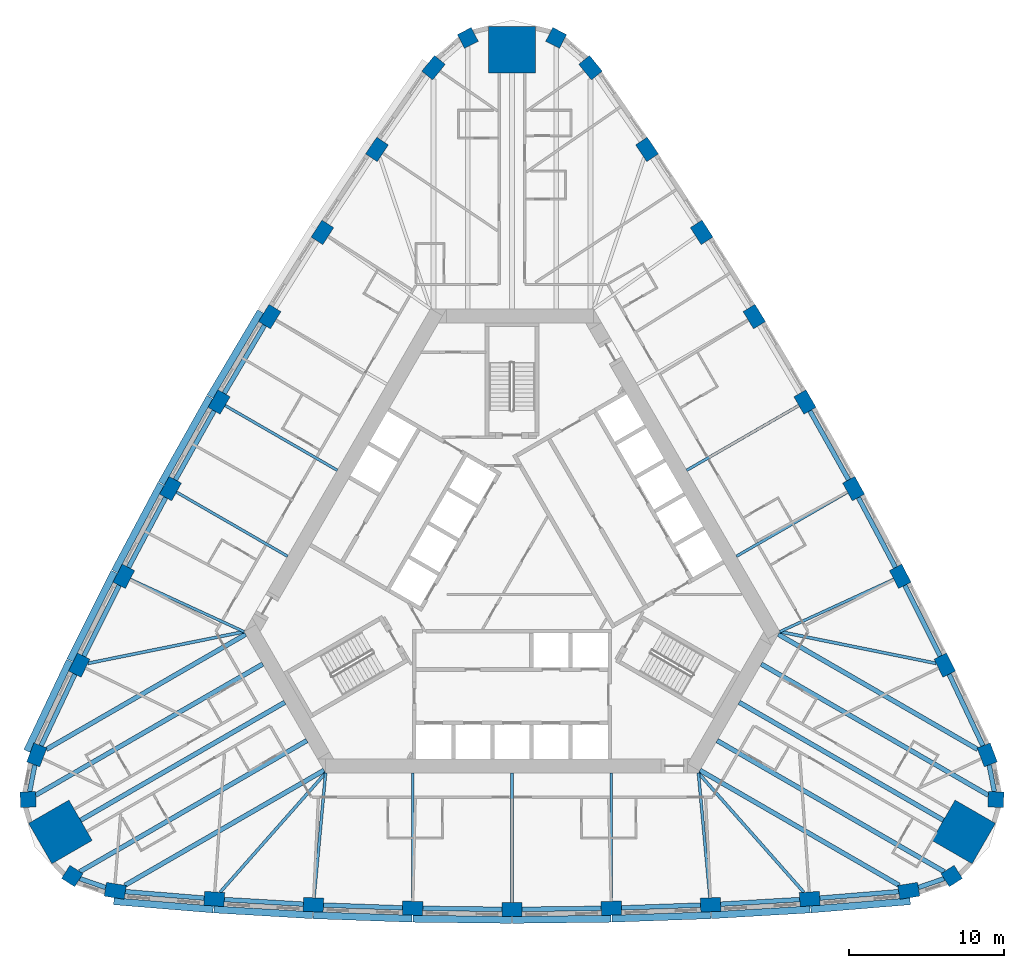
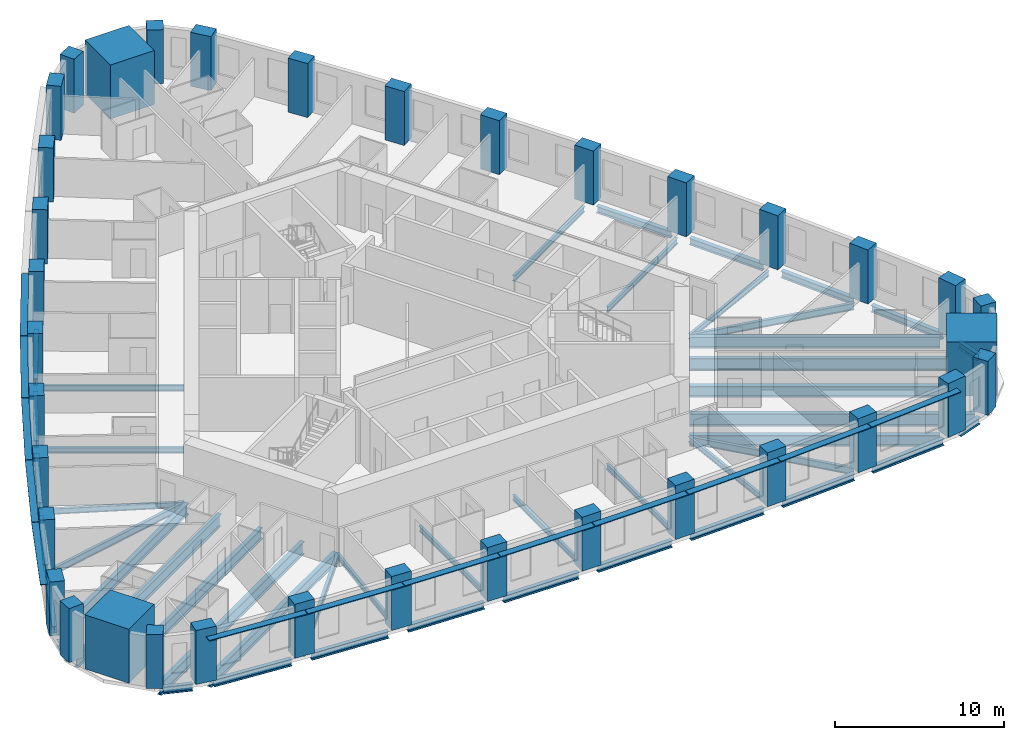
# One storey, part 1 of 13: 46 beams, 36 columns, 13 members.
"""IFC4 building model written with IfcOpenShell, lengths in metres."""

from ifc_helpers import new_model, si_unit, direction, frame, origin, origin_2d, place, context, subcontext, project, spatial, rectangle, i_section, extrude, material, material_profile, profile_set, type_object, element, save


model = new_model("IFC4")

# Units and contexts
model_context = context("Model", 3, precision=1e-05, world=origin(), true_north=direction((0.0, 1.0)))
body_context = subcontext(model_context, "Body", "Model", "MODEL_VIEW")
ifc_project = project(units=[si_unit("LENGTHUNIT", "METRE"), si_unit("AREAUNIT", "SQUARE_METRE"), si_unit("VOLUMEUNIT", "CUBIC_METRE"), si_unit("PLANEANGLEUNIT", "RADIAN"), si_unit("MASSUNIT", "GRAM", prefix="KILO")], contexts=[model_context])

# Site, building, storey
site_placement = place(None, origin())
site = spatial("IfcSite", under=ifc_project, at=site_placement, CompositionType="ELEMENT")
building_placement = place(site_placement, origin())
building = spatial("IfcBuilding", under=site, at=building_placement, Name="Mestral Congress Tower", CompositionType="ELEMENT")
storey_placement = place(building_placement, frame((0.0, 0.0, 99.300048828125)))
storey = spatial("IfcBuildingStorey", under=building, at=storey_placement, Name="L23", CompositionType="ELEMENT", Elevation=99.300048828125)

# Columns
ifc_material_1 = material(Name="Concrete C70/85", Category="concrete")
ifc_material_profile_1 = material_profile(ifc_material_1, rectangle(XDim=1.0, YDim=1.0, at=origin_2d()), Name="RC 1000x1000")
ifc_profile_set_1 = profile_set([ifc_material_profile_1], Name="Concrete C70/85")
column_type_1 = type_object("IfcColumnType", Name="Column RC 1000x1000 C70/85", PredefinedType="COLUMN", material=ifc_profile_set_1)
for number, where, z_axis, x_axis, name in (
    (1, (28.331298828125, -19.642822265625, 0.0), (0.0, 0.0, 1.0), (0.841700252504, 0.53994507585, 0.0), "COL-L23-C2-SE1"),
    (2, (31.1767578125, -14.714111328125, 0.0), (0.0, 0.0, 1.0), (0.046756026083, 0.998906338965, 0.0), "COL-L23-C2-SE3"),
    (3, (2.845703125, 34.35693359375, 0.0), (0.0, 0.0, 1.0), (-0.888456278587, 0.458961263115, 0.0), "COL-L23-C2-N1"),
    (4, (-2.845703125, 34.35693359375, 0.0), (0.0, 0.0, 1.0), (-0.888456278587, -0.458961263115, 0.0), "COL-L23-C2-N3"),
    (5, (-31.1767578125, -14.714111328125, 0.0), (0.0, 0.0, 1.0), (0.046756026083, -0.998906338965, 0.0), "COL-L23-C2-SW1"),
    (6, (-28.331298828125, -19.642822265625, 0.0), (0.0, 0.0, 1.0), (0.841700252504, -0.53994507585, 0.0), "COL-L23-C2-SW3"),
):
    element("IfcColumn", number, at=place(storey_placement, frame(where, z_axis=z_axis, x_axis=x_axis)), inside=storey, type_object=column_type_1, Name=name, PredefinedType="COLUMN", context=body_context, shape_type="SweptSolid", body=[
        extrude(rectangle(XDim=1.0, YDim=1.0, at=origin_2d()), origin(), (0.0, 0.0, 1.0), 3.89990234375),
    ])
ifc_material_profile_2 = material_profile(ifc_material_1, rectangle(XDim=1.300048828125, YDim=0.89990234375, at=origin_2d()), Name="RC 1300x900")
ifc_profile_set_2 = profile_set([ifc_material_profile_2], Name="Concrete C70/85")
column_type_2 = type_object("IfcColumnType", Name="Column RC 1300x900 C70/85", PredefinedType="COLUMN", material=ifc_profile_set_2)
for number, where, z_axis, x_axis, name in (
    (7, (-25.562744140625, -20.59716796875, 0.0), (0.0, 0.0, 1.0), (0.987202314361, -0.159472851987, 0.0), "COL-L23-C2-S00"),
    (8, (-19.184326171875, -21.120361328125, 0.0), (0.0, 0.0, 1.0), (0.997539884588, -0.07010120296, 0.0), "COL-L23-C2-S01"),
    (9, (-12.79541015625, -21.494384765625, 0.0), (0.0, 0.0, 1.0), (0.998906338965, -0.046756026083, 0.0), "COL-L23-C2-S02"),
    (10, (-6.3994140625, -21.71875, 0.0), (0.0, 0.0, 1.0), (0.99972656776, -0.023383535144, 0.0), "COL-L23-C2-S03"),
    (11, (0.0, -21.793701171875, 0.0), (0.0, 0.0, 1.0), (1.0, 0.0, 0.0), "COL-L23-C2-S04"),
    (12, (6.3994140625, -21.71875, 0.0), (0.0, 0.0, 1.0), (0.99972656776, 0.023383535144, 0.0), "COL-L23-C2-S05"),
    (13, (12.79541015625, -21.494384765625, 0.0), (0.0, 0.0, 1.0), (0.998906338965, 0.046756026083, 0.0), "COL-L23-C2-S06"),
    (14, (19.184326171875, -21.120361328125, 0.0), (0.0, 0.0, 1.0), (0.997539884588, 0.07010120296, 0.0), "COL-L23-C2-S07"),
    (15, (25.562744140625, -20.59716796875, 0.0), (0.0, 0.0, 1.0), (0.987202314361, 0.159472851987, 0.0), "COL-L23-C2-S08"),
    (16, (30.618896484375, -11.83935546875, 0.0), (0.0, 0.0, 1.0), (-0.355493616145, 0.934678708905, 0.0), "COL-L23-C2-E00"),
    (17, (27.8828125, -6.0537109375, 0.0), (0.0, 0.0, 1.0), (-0.438060519695, 0.898945482821, 0.0), "COL-L23-C2-E01"),
    (18, (25.01220703125, -0.333984375, 0.0), (0.0, 0.0, 1.0), (-0.458961263115, 0.888456278587, 0.0), "COL-L23-C2-E02"),
    (19, (22.0087890625, 5.3173828125, 0.0), (0.0, 0.0, 1.0), (-0.479612548415, 0.87748037209, 0.0), "COL-L23-C2-E03"),
    (20, (18.873779296875, 10.896728515625, 0.0), (0.0, 0.0, 1.0), (-0.5, 0.866025403784, 0.0), "COL-L23-C2-E04"),
    (21, (15.609375, 16.401611328125, 0.0), (0.0, 0.0, 1.0), (-0.520114019344, 0.854096836946, 0.0), "COL-L23-C2-E05"),
    (22, (12.217041015625, 21.828369140625, 0.0), (0.0, 0.0, 1.0), (-0.53994507585, 0.841700252504, 0.0), "COL-L23-C2-E06"),
    (23, (8.69873046875, 27.17431640625, 0.0), (0.0, 0.0, 1.0), (-0.559479364893, 0.828844279861, 0.0), "COL-L23-C2-E07"),
    (24, (5.056396484375, 32.4365234375, 0.0), (0.0, 0.0, 1.0), (-0.631708698215, 0.775205856918, 0.0), "COL-L23-C2-E08"),
    (25, (-5.056396484375, 32.4365234375, 0.0), (0.0, 0.0, 1.0), (-0.631708698215, -0.775205856918, 0.0), "COL-L23-C2-W00"),
    (26, (-8.69873046875, 27.17431640625, 0.0), (0.0, 0.0, 1.0), (-0.559479364893, -0.828844279861, 0.0), "COL-L23-C2-W01"),
    (27, (-12.217041015625, 21.828369140625, 0.0), (0.0, 0.0, 1.0), (-0.53994507585, -0.841700252504, 0.0), "COL-L23-C2-W02"),
    (28, (-15.609375, 16.401611328125, 0.0), (0.0, 0.0, 1.0), (-0.520114019344, -0.854096836946, 0.0), "COL-L23-C2-W03"),
    (29, (-18.873779296875, 10.896728515625, 0.0), (0.0, 0.0, 1.0), (-0.5, -0.866025403784, 0.0), "COL-L23-C2-W04"),
    (30, (-22.0087890625, 5.3173828125, 0.0), (0.0, 0.0, 1.0), (-0.479612548415, -0.87748037209, 0.0), "COL-L23-C2-W05"),
    (31, (-25.01220703125, -0.333984375, 0.0), (0.0, 0.0, 1.0), (-0.458961263115, -0.888456278587, 0.0), "COL-L23-C2-W06"),
    (32, (-27.8828125, -6.0537109375, 0.0), (0.0, 0.0, 1.0), (-0.438060519695, -0.898945482821, 0.0), "COL-L23-C2-W07"),
    (33, (-30.618896484375, -11.83935546875, 0.0), (0.0, 0.0, 1.0), (-0.355493616145, -0.934678708905, 0.0), "COL-L23-C2-W08"),
):
    element("IfcColumn", number, at=place(storey_placement, frame(where, z_axis=z_axis, x_axis=x_axis)), inside=storey, type_object=column_type_2, Name=name, PredefinedType="COLUMN", context=body_context, shape_type="SweptSolid", body=[
        extrude(rectangle(XDim=1.300048828125, YDim=0.89990234375, at=origin_2d()), origin(), (0.0, 0.0, 1.0), 3.89990234375),
    ])
ifc_material_2 = material(Name="Concrete C80/95", Category="concrete")
ifc_material_profile_3 = material_profile(ifc_material_2, rectangle(XDim=3.0, YDim=3.0, at=origin_2d()), Name="RC 3000x3000")
ifc_profile_set_3 = profile_set([ifc_material_profile_3], Name="Concrete C80/95")
column_type_3 = type_object("IfcColumnType", Name="Mega column RC 3000x3000 C80/95", PredefinedType="COLUMN", material=ifc_profile_set_3)
for number, where, z_axis, x_axis, name in (
    (34, (29.09716796875, -16.79931640625, 0.0), (0.0, 0.0, 1.0), (0.866025403784, -0.5, 0.0), "COL-L23-PY2-SE"),
    (35, (0.0, 33.598388671875, 0.0), (0.0, 0.0, 1.0), (0.0, 1.0, 0.0), "COL-L23-PY2-N"),
    (36, (-29.09716796875, -16.79931640625, 0.0), (0.0, 0.0, 1.0), (-0.866025403784, -0.5, 0.0), "COL-L23-PY2-SW"),
):
    element("IfcColumn", number, at=place(storey_placement, frame(where, z_axis=z_axis, x_axis=x_axis)), inside=storey, type_object=column_type_3, Name=name, PredefinedType="COLUMN", context=body_context, shape_type="SweptSolid", body=[
        extrude(rectangle(XDim=3.0, YDim=3.0, at=origin_2d()), origin(), (0.0, 0.0, 1.0), 3.89990234375),
    ])

# Members
ifc_material_3 = material(Name="Glazed ceramic", Category="masonry")
ifc_material_profile_4 = material_profile(ifc_material_3, rectangle(XDim=0.449951171875, YDim=0.06005859375, at=origin_2d()), Name="Ceramic blade 450 x 60")
ifc_profile_set_4 = profile_set([ifc_material_profile_4], Name="Glazed ceramic")
member_type = type_object("IfcMemberType", Name="Facade sunshade blade 450 x 60", PredefinedType="USERDEFINED", material=ifc_profile_set_4)
member_1_placement = place(storey_placement, frame((-25.654296875, -21.266845703125, 3.280029296875), z_axis=(0.996650616323, -0.081777435656, 0.0), x_axis=(0.081777435656, 0.996650616323, 0.0)))
element("IfcMember", 37, at=member_1_placement, inside=storey, type_object=member_type, Name="Sunshade F0-00", ObjectType="SUNSHADE", PredefinedType="USERDEFINED", context=body_context, shape_type="SweptSolid", body=[
    extrude(rectangle(XDim=0.449951171875, YDim=0.06005859375, at=origin_2d()), origin(), (0.0, 0.0, 1.0), 6.421630859375),
])
for number, where, z_axis, x_axis, name in (
    (38, (-19.208984375, -21.795166015625, 3.280029296875), (0.998292825409, -0.05840748871, 0.0), (0.05840748871, 0.998292825409, 0.0), "Sunshade F0-01"),
    (39, (-12.80419921875, -22.16943359375, 3.280029296875), (0.999384970229, -0.035066811664, 0.0), (0.035066811664, 0.999384970229, 0.0), "Sunshade F0-02"),
    (40, (-6.392578125, -22.393798828125, 3.280029296875), (0.999931231966, -0.011727375608, 0.0), (0.011727375608, 0.999931231966, 0.0), "Sunshade F0-03"),
    (41, (0.022705078125, -22.468505859375, 3.280029296875), (0.999931231966, 0.011727375608, 0.0), (-0.011727375608, 0.999931231966, 0.0), "Sunshade F0-04"),
    (42, (6.437744140625, -22.392822265625, 3.280029296875), (0.999384970229, 0.035066811664, 0.0), (-0.035066811664, 0.999384970229, 0.0), "Sunshade F0-05"),
    (43, (12.849609375, -22.167236328125, 3.280029296875), (0.998292825409, 0.05840748871, 0.0), (-0.05840748871, 0.998292825409, 0.0), "Sunshade F0-06"),
):
    element("IfcMember", number, at=place(storey_placement, frame(where, z_axis=z_axis, x_axis=x_axis)), inside=storey, type_object=member_type, Name=name, ObjectType="SUNSHADE", PredefinedType="USERDEFINED", context=body_context, shape_type="SweptSolid", body=[
        extrude(rectangle(XDim=0.449951171875, YDim=0.06005859375, at=origin_2d()), origin(), (0.0, 0.0, 1.0), 6.370361328125),
    ])
member_2_placement = place(storey_placement, frame((19.254150390625, -21.7919921875, 3.280029296875), z_axis=(0.996650616323, 0.081777435656, 0.0), x_axis=(-0.081777435656, 0.996650616323, 0.0)))
element("IfcMember", 44, at=member_2_placement, inside=storey, type_object=member_type, Name="Sunshade F0-07", ObjectType="SUNSHADE", PredefinedType="USERDEFINED", context=body_context, shape_type="SweptSolid", body=[
    extrude(rectangle(XDim=0.449951171875, YDim=0.06005859375, at=origin_2d()), origin(), (0.0, 0.0, 1.0), 6.421630859375),
])
for number, where, z_axis, x_axis, name in (
    (45, (-16.197509765625, 16.733154296875, 3.280029296875), (-0.510098606231, -0.86011592935, 0.0), (0.86011592935, -0.510098606231, 0.0), "Sunshade F2-03"),
    (46, (-19.469482421875, 11.214599609375, 3.280029296875), (-0.489860886888, -0.871800614531, 0.0), (0.871800614531, -0.489860886888, 0.0), "Sunshade F2-04"),
    (47, (-22.61181640625, 5.62109375, 3.280029296875), (-0.469318672425, -0.883028869128, 0.0), (0.883028869128, -0.469318672425, 0.0), "Sunshade F2-05"),
):
    element("IfcMember", number, at=place(storey_placement, frame(where, z_axis=z_axis, x_axis=x_axis)), inside=storey, type_object=member_type, Name=name, ObjectType="SUNSHADE", PredefinedType="USERDEFINED", context=body_context, shape_type="SweptSolid", body=[
        extrude(rectangle(XDim=0.449951171875, YDim=0.06005859375, at=origin_2d()), origin(), (0.0, 0.0, 1.0), 6.370361328125),
    ])
member_3_placement = place(storey_placement, frame((-25.622314453125, -0.04443359375, 3.280029296875), z_axis=(-0.448531530965, -0.893767008638, 0.0), x_axis=(0.893767008638, -0.448531530965, 0.0)))
element("IfcMember", 48, at=member_3_placement, inside=storey, type_object=member_type, Name="Sunshade F2-06", ObjectType="SUNSHADE", PredefinedType="USERDEFINED", context=body_context, shape_type="SweptSolid", body=[
    extrude(rectangle(XDim=0.449951171875, YDim=0.06005859375, at=origin_2d()), origin(), (0.0, 0.0, 1.0), 6.3701171875),
])
member_4_placement = place(storey_placement, frame((-28.49951171875, -5.778564453125, 3.280029296875), z_axis=(-0.427519164001, -0.904006285604, 0.0), x_axis=(0.904006285604, -0.427519164001, 0.0)))
element("IfcMember", 49, at=member_4_placement, inside=storey, type_object=member_type, Name="Sunshade F2-07", ObjectType="SUNSHADE", PredefinedType="USERDEFINED", context=body_context, shape_type="SweptSolid", body=[
    extrude(rectangle(XDim=0.449951171875, YDim=0.06005859375, at=origin_2d()), origin(), (0.0, 0.0, 1.0), 6.421630859375),
])

# Beams
ifc_material_4 = material(Name="Steel S355", Category="steel")
ifc_material_profile_5 = material_profile(ifc_material_4, i_section(OverallWidth=0.300048828125, OverallDepth=0.800048828125, WebThickness=0.017578125, FlangeThickness=0.032958984375, FilletRadius=0.030029296875, at=origin_2d()), Name="HEB 800")
ifc_profile_set_5 = profile_set([ifc_material_profile_5], Name="Steel S355")
beam_type_1 = type_object("IfcBeamType", Name="Floor beam HEB 800 S355", PredefinedType="BEAM", material=ifc_profile_set_5)
for number, where, z_axis, x_axis, name in (
    (50, (-24.94580078125, -20.240966796875, -0.650146484375), (0.866025146382, 0.500000445834, 0.0), (-0.500000445834, 0.866025146382, 0.0), "BM-L23-RB2-S00"),
    (51, (24.94580078125, -20.240966796875, -0.650146484375), (-0.866025146382, 0.500000445834, 0.0), (-0.500000445834, -0.866025146382, 0.0), "BM-L23-RB2-S08"),
):
    element("IfcBeam", number, at=place(storey_placement, frame(where, z_axis=z_axis, x_axis=x_axis)), inside=storey, type_object=beam_type_1, Name=name, PredefinedType="BEAM", context=body_context, shape_type="SweptSolid", body=[
        extrude(i_section(OverallWidth=0.300048828125, OverallDepth=0.800048828125, WebThickness=0.017578125, FlangeThickness=0.032958984375, FilletRadius=0.030029296875, at=origin_2d()), origin(), (0.0, 0.0, 1.0), 14.82421875),
    ])
beam_1_placement = place(storey_placement, frame((27.798095703125, -16.04931640625, -0.650146484375), z_axis=(-0.866023213189, 0.500003794204, 0.0), x_axis=(-0.500003794204, -0.866023213189, 0.0)))
element("IfcBeam", 52, at=beam_1_placement, inside=storey, type_object=beam_type_1, Name="BM-L23-RB2-SE", PredefinedType="BEAM", context=body_context, shape_type="SweptSolid", body=[
    extrude(i_section(OverallWidth=0.300048828125, OverallDepth=0.800048828125, WebThickness=0.017578125, FlangeThickness=0.032958984375, FilletRadius=0.030029296875, at=origin_2d()), origin(), (0.0, 0.0, 1.0), 15.19873046875),
])
for number, where, z_axis, x_axis, name in (
    (53, (30.002197265625, -11.483154296875, -0.650146484375), (-0.866025146382, 0.500000445834, 0.0), (-0.500000445834, -0.866025146382, 0.0), "BM-L23-RB2-E00"),
    (54, (-30.002197265625, -11.483154296875, -0.650146484375), (0.866025146382, 0.500000445834, 0.0), (-0.500000445834, 0.866025146382, 0.0), "BM-L23-RB2-W08"),
):
    element("IfcBeam", number, at=place(storey_placement, frame(where, z_axis=z_axis, x_axis=x_axis)), inside=storey, type_object=beam_type_1, Name=name, PredefinedType="BEAM", context=body_context, shape_type="SweptSolid", body=[
        extrude(i_section(OverallWidth=0.300048828125, OverallDepth=0.800048828125, WebThickness=0.017578125, FlangeThickness=0.032958984375, FilletRadius=0.030029296875, at=origin_2d()), origin(), (0.0, 0.0, 1.0), 14.82421875),
    ])
beam_2_placement = place(storey_placement, frame((-27.798095703125, -16.04931640625, -0.650146484375), z_axis=(0.866023213189, 0.500003794204, 0.0), x_axis=(-0.500003794204, 0.866023213189, 0.0)))
element("IfcBeam", 55, at=beam_2_placement, inside=storey, type_object=beam_type_1, Name="BM-L23-RB2-SW", PredefinedType="BEAM", context=body_context, shape_type="SweptSolid", body=[
    extrude(i_section(OverallWidth=0.300048828125, OverallDepth=0.800048828125, WebThickness=0.017578125, FlangeThickness=0.032958984375, FilletRadius=0.030029296875, at=origin_2d()), origin(), (0.0, 0.0, 1.0), 15.19873046875),
])
ifc_material_profile_6 = material_profile(ifc_material_4, i_section(OverallWidth=0.300048828125, OverallDepth=0.89990234375, WebThickness=0.0185546875, FlangeThickness=0.034912109375, FilletRadius=0.030029296875, at=origin_2d()), Name="HEB 900")
ifc_profile_set_6 = profile_set([ifc_material_profile_6], Name="Steel S355")
beam_type_2 = type_object("IfcBeamType", Name="Floor beam HEB 900 S355", PredefinedType="BEAM", material=ifc_profile_set_6)
beam_3_placement = place(storey_placement, frame((27.84375, -19.361328125, -0.699951171875), z_axis=(-0.866024587677, 0.500001413537, 0.0), x_axis=(-0.500001413537, -0.866024587677, 0.0)))
element("IfcBeam", 56, at=beam_3_placement, inside=storey, type_object=beam_type_2, Name="BM-L23-RB2-SE1", PredefinedType="BEAM", context=body_context, shape_type="SweptSolid", body=[
    extrude(i_section(OverallWidth=0.300048828125, OverallDepth=0.89990234375, WebThickness=0.0185546875, FlangeThickness=0.034912109375, FilletRadius=0.030029296875, at=origin_2d()), origin(), (0.0, 0.0, 1.0), 16.89404296875),
])
for number, where, z_axis, x_axis, name in (
    (57, (30.689453125, -14.4326171875, -0.699951171875), (-0.866028200461, 0.499995155983, 0.0), (-0.499995155983, -0.866028200461, 0.0), "BM-L23-RB2-SE3"),
    (58, (-30.689453125, -14.4326171875, -0.699951171875), (0.866028200461, 0.499995155983, 0.0), (-0.499995155983, 0.866028200461, 0.0), "BM-L23-RB2-SW1"),
):
    element("IfcBeam", number, at=place(storey_placement, frame(where, z_axis=z_axis, x_axis=x_axis)), inside=storey, type_object=beam_type_2, Name=name, PredefinedType="BEAM", context=body_context, shape_type="SweptSolid", body=[
        extrude(i_section(OverallWidth=0.300048828125, OverallDepth=0.89990234375, WebThickness=0.0185546875, FlangeThickness=0.034912109375, FilletRadius=0.030029296875, at=origin_2d()), origin(), (0.0, 0.0, 1.0), 16.894287109375),
    ])
beam_4_placement = place(storey_placement, frame((-27.84375, -19.361328125, -0.699951171875), z_axis=(0.866024587677, 0.500001413537, 0.0), x_axis=(-0.500001413537, 0.866024587677, 0.0)))
element("IfcBeam", 59, at=beam_4_placement, inside=storey, type_object=beam_type_2, Name="BM-L23-RB2-SW3", PredefinedType="BEAM", context=body_context, shape_type="SweptSolid", body=[
    extrude(i_section(OverallWidth=0.300048828125, OverallDepth=0.89990234375, WebThickness=0.0185546875, FlangeThickness=0.034912109375, FilletRadius=0.030029296875, at=origin_2d()), origin(), (0.0, 0.0, 1.0), 16.89404296875),
])
ifc_material_profile_7 = material_profile(ifc_material_4, i_section(OverallWidth=0.179931640625, OverallDepth=0.39990234375, WebThickness=0.008544921875, FlangeThickness=0.013427734375, FilletRadius=0.02099609375, at=origin_2d()), Name="IPE 400")
ifc_profile_set_7 = profile_set([ifc_material_profile_7], Name="Steel S355")
beam_type_3 = type_object("IfcBeamType", Name="Floor beam IPE 400 S355", PredefinedType="BEAM", material=ifc_profile_set_7)
beam_5_placement = place(storey_placement, frame((-12.753662109375, -21.0458984375, -0.449951171875), z_axis=(0.092183786594, 0.995742009503, 0.0), x_axis=(-0.995742009503, 0.092183786594, 0.0)))
element("IfcBeam", 60, at=beam_5_placement, inside=storey, type_object=beam_type_3, Name="BM-L23-RB2-S02", PredefinedType="BEAM", context=body_context, shape_type="SweptSolid", body=[
    extrude(i_section(OverallWidth=0.179931640625, OverallDepth=0.39990234375, WebThickness=0.008544921875, FlangeThickness=0.013427734375, FilletRadius=0.02099609375, at=origin_2d()), origin(), (0.0, 0.0, 1.0), 8.080322265625),
])
beam_6_placement = place(storey_placement, frame((-6.3994140625, -21.268798828125, -0.449951171875), z_axis=(0.0, 1.0, 0.0), x_axis=(-1.0, 0.0, 0.0)))
element("IfcBeam", 61, at=beam_6_placement, inside=storey, type_object=beam_type_3, Name="BM-L23-RB2-S03", PredefinedType="BEAM", context=body_context, shape_type="SweptSolid", body=[
    extrude(i_section(OverallWidth=0.179931640625, OverallDepth=0.39990234375, WebThickness=0.008544921875, FlangeThickness=0.013427734375, FilletRadius=0.02099609375, at=origin_2d()), origin(), (0.0, 0.0, 1.0), 8.268798828125),
])
beam_7_placement = place(storey_placement, frame((0.0, -21.343505859375, -0.449951171875), z_axis=(0.0, 1.0, 0.0), x_axis=(-1.0, 0.0, 0.0)))
element("IfcBeam", 62, at=beam_7_placement, inside=storey, type_object=beam_type_3, Name="BM-L23-RB2-S04", PredefinedType="BEAM", context=body_context, shape_type="SweptSolid", body=[
    extrude(i_section(OverallWidth=0.179931640625, OverallDepth=0.39990234375, WebThickness=0.008544921875, FlangeThickness=0.013427734375, FilletRadius=0.02099609375, at=origin_2d()), origin(), (0.0, 0.0, 1.0), 8.343505859375),
])
beam_8_placement = place(storey_placement, frame((6.3994140625, -21.268798828125, -0.449951171875), z_axis=(0.0, 1.0, 0.0), x_axis=(-1.0, 0.0, 0.0)))
element("IfcBeam", 63, at=beam_8_placement, inside=storey, type_object=beam_type_3, Name="BM-L23-RB2-S05", PredefinedType="BEAM", context=body_context, shape_type="SweptSolid", body=[
    extrude(i_section(OverallWidth=0.179931640625, OverallDepth=0.39990234375, WebThickness=0.008544921875, FlangeThickness=0.013427734375, FilletRadius=0.02099609375, at=origin_2d()), origin(), (0.0, 0.0, 1.0), 8.268798828125),
])
beam_9_placement = place(storey_placement, frame((12.753662109375, -21.0458984375, -0.449951171875), z_axis=(-0.092183786594, 0.995742009503, 0.0), x_axis=(-0.995742009503, -0.092183786594, 0.0)))
element("IfcBeam", 64, at=beam_9_placement, inside=storey, type_object=beam_type_3, Name="BM-L23-RB2-S06", PredefinedType="BEAM", context=body_context, shape_type="SweptSolid", body=[
    extrude(i_section(OverallWidth=0.179931640625, OverallDepth=0.39990234375, WebThickness=0.008544921875, FlangeThickness=0.013427734375, FilletRadius=0.02099609375, at=origin_2d()), origin(), (0.0, 0.0, 1.0), 8.080322265625),
])
beam_10_placement = place(storey_placement, frame((24.60302734375, -0.522216796875, -0.449951171875), z_axis=(-0.908437217841, -0.418021316731, 0.0), x_axis=(0.418021316731, -0.908437217841, 0.0)))
element("IfcBeam", 65, at=beam_10_placement, inside=storey, type_object=beam_type_3, Name="BM-L23-RB2-E02", PredefinedType="BEAM", context=body_context, shape_type="SweptSolid", body=[
    extrude(i_section(OverallWidth=0.179931640625, OverallDepth=0.39990234375, WebThickness=0.008544921875, FlangeThickness=0.013427734375, FilletRadius=0.02099609375, at=origin_2d()), origin(), (0.0, 0.0, 1.0), 8.080078125),
])
beam_11_placement = place(storey_placement, frame((21.618896484375, 5.09228515625, -0.449951171875), z_axis=(-0.866028737439, -0.499994225897, 0.0), x_axis=(0.499994225897, -0.866028737439, 0.0)))
element("IfcBeam", 66, at=beam_11_placement, inside=storey, type_object=beam_type_3, Name="BM-L23-RB2-E03", PredefinedType="BEAM", context=body_context, shape_type="SweptSolid", body=[
    extrude(i_section(OverallWidth=0.179931640625, OverallDepth=0.39990234375, WebThickness=0.008544921875, FlangeThickness=0.013427734375, FilletRadius=0.02099609375, at=origin_2d()), origin(), (0.0, 0.0, 1.0), 8.2685546875),
])
for number, where, z_axis, x_axis, name in (
    (67, (18.484130859375, 10.671875, -0.449951171875), (-0.86602332482, -0.500003600855, 0.0), (0.500003600855, -0.86602332482, 0.0), "BM-L23-RB2-E04"),
    (68, (-18.484130859375, 10.671875, -0.449951171875), (0.86602332482, -0.500003600855, 0.0), (0.500003600855, 0.86602332482, 0.0), "BM-L23-RB2-W04"),
):
    element("IfcBeam", number, at=place(storey_placement, frame(where, z_axis=z_axis, x_axis=x_axis)), inside=storey, type_object=beam_type_3, Name=name, PredefinedType="BEAM", context=body_context, shape_type="SweptSolid", body=[
        extrude(i_section(OverallWidth=0.179931640625, OverallDepth=0.39990234375, WebThickness=0.008544921875, FlangeThickness=0.013427734375, FilletRadius=0.02099609375, at=origin_2d()), origin(), (0.0, 0.0, 1.0), 8.34375),
    ])
beam_12_placement = place(storey_placement, frame((-21.618896484375, 5.09228515625, -0.449951171875), z_axis=(0.866028737439, -0.499994225897, 0.0), x_axis=(0.499994225897, 0.866028737439, 0.0)))
element("IfcBeam", 69, at=beam_12_placement, inside=storey, type_object=beam_type_3, Name="BM-L23-RB2-W05", PredefinedType="BEAM", context=body_context, shape_type="SweptSolid", body=[
    extrude(i_section(OverallWidth=0.179931640625, OverallDepth=0.39990234375, WebThickness=0.008544921875, FlangeThickness=0.013427734375, FilletRadius=0.02099609375, at=origin_2d()), origin(), (0.0, 0.0, 1.0), 8.2685546875),
])
beam_13_placement = place(storey_placement, frame((-24.60302734375, -0.522216796875, -0.449951171875), z_axis=(0.908437217841, -0.418021316731, 0.0), x_axis=(0.418021316731, 0.908437217841, 0.0)))
element("IfcBeam", 70, at=beam_13_placement, inside=storey, type_object=beam_type_3, Name="BM-L23-RB2-W06", PredefinedType="BEAM", context=body_context, shape_type="SweptSolid", body=[
    extrude(i_section(OverallWidth=0.179931640625, OverallDepth=0.39990234375, WebThickness=0.008544921875, FlangeThickness=0.013427734375, FilletRadius=0.02099609375, at=origin_2d()), origin(), (0.0, 0.0, 1.0), 8.080078125),
])
ifc_material_profile_8 = material_profile(ifc_material_4, i_section(OverallWidth=0.199951171875, OverallDepth=0.5, WebThickness=0.01025390625, FlangeThickness=0.01611328125, FilletRadius=0.02099609375, at=origin_2d()), Name="IPE 500")
ifc_profile_set_8 = profile_set([ifc_material_profile_8], Name="Steel S355")
beam_type_4 = type_object("IfcBeamType", Name="Floor beam IPE 500 S355", PredefinedType="BEAM", material=ifc_profile_set_8)
for number, where, z_axis, x_axis, name in (
    (71, (-18.80908203125, -20.695556640625, -0.5), (0.662174203587, 0.749349934346, 0.0), (-0.749349934346, 0.662174203587, 0.0), "BM-L23-RB2-S01"),
    (72, (18.80908203125, -20.695556640625, -0.5), (-0.662174203587, 0.749349934346, 0.0), (-0.749349934346, -0.662174203587, 0.0), "BM-L23-RB2-S07"),
    (73, (27.327392578125, -5.941162109375, -0.5), (-0.980046767137, 0.198767035052, 0.0), (-0.198767035052, -0.980046767137, 0.0), "BM-L23-RB2-E01"),
    (74, (-27.327392578125, -5.941162109375, -0.5), (0.980046767137, 0.198767035052, 0.0), (-0.198767035052, 0.980046767137, 0.0), "BM-L23-RB2-W07"),
):
    element("IfcBeam", number, at=place(storey_placement, frame(where, z_axis=z_axis, x_axis=x_axis)), inside=storey, type_object=beam_type_4, Name=name, PredefinedType="BEAM", context=body_context, shape_type="SweptSolid", body=[
        extrude(i_section(OverallWidth=0.199951171875, OverallDepth=0.5, WebThickness=0.01025390625, FlangeThickness=0.01611328125, FilletRadius=0.02099609375, at=origin_2d()), origin(), (0.0, 0.0, 1.0), 10.26953125),
    ])
ifc_material_profile_9 = material_profile(ifc_material_4, i_section(OverallWidth=0.300048828125, OverallDepth=0.489990234375, WebThickness=0.011962890625, FlangeThickness=0.02294921875, FilletRadius=0.027099609375, at=origin_2d()), Name="HEA 500")
ifc_profile_set_9 = profile_set([ifc_material_profile_9], Name="Steel S355")
beam_type_5 = type_object("IfcBeamType", Name="Spandrel beam HEA 500 S355", PredefinedType="BEAM", material=ifc_profile_set_9)
beam_14_placement = place(storey_placement, frame((-24.912841796875, -20.650390625, -0.4951171875), z_axis=(0.996652597162, -0.081753290887, 0.0), x_axis=(0.081753290887, 0.996652597162, 0.0)))
element("IfcBeam", 75, at=beam_14_placement, inside=storey, type_object=beam_type_5, Name="SP-L23-SB2-S00", PredefinedType="BEAM", context=body_context, shape_type="SweptSolid", body=[
    extrude(i_section(OverallWidth=0.300048828125, OverallDepth=0.489990234375, WebThickness=0.011962890625, FlangeThickness=0.02294921875, FilletRadius=0.027099609375, at=origin_2d()), origin(), (0.0, 0.0, 1.0), 5.09765625),
])
for number, where, z_axis, x_axis, name in (
    (76, (-18.535400390625, -21.158447265625, -0.4951171875), (0.998292976718, -0.058404902489, 0.0), (0.058404902489, 0.998292976718, 0.0), "SP-L23-SB2-S01"),
    (77, (-12.145751953125, -21.51708984375, -0.4951171875), (0.999384139945, -0.035090466305, 0.0), (0.035090466305, 0.999384139945, 0.0), "SP-L23-SB2-S02"),
    (78, (-5.74951171875, -21.726318359375, -0.4951171875), (0.999931780034, -0.011680551241, 0.0), (0.011680551241, 0.999931780034, 0.0), "SP-L23-SB2-S03"),
    (79, (0.64990234375, -21.785888671875, -0.4951171875), (0.999931780034, 0.011680551241, 0.0), (-0.011680551241, 0.999931780034, 0.0), "SP-L23-SB2-S04"),
    (80, (7.049072265625, -21.696044921875, -0.4951171875), (0.999384139945, 0.035090466305, 0.0), (-0.035090466305, 0.999384139945, 0.0), "SP-L23-SB2-S05"),
    (81, (13.4443359375, -21.456298828125, -0.4951171875), (0.998292976718, 0.058404902489, 0.0), (-0.058404902489, 0.998292976718, 0.0), "SP-L23-SB2-S06"),
):
    element("IfcBeam", number, at=place(storey_placement, frame(where, z_axis=z_axis, x_axis=x_axis)), inside=storey, type_object=beam_type_5, Name=name, PredefinedType="BEAM", context=body_context, shape_type="SweptSolid", body=[
        extrude(i_section(OverallWidth=0.300048828125, OverallDepth=0.489990234375, WebThickness=0.011962890625, FlangeThickness=0.02294921875, FilletRadius=0.027099609375, at=origin_2d()), origin(), (0.0, 0.0, 1.0), 5.099853515625),
    ])
beam_15_placement = place(storey_placement, frame((19.832275390625, -21.067138671875, -0.4951171875), z_axis=(0.996652597162, 0.081753290887, 0.0), x_axis=(-0.081753290887, 0.996652597162, 0.0)))
element("IfcBeam", 82, at=beam_15_placement, inside=storey, type_object=beam_type_5, Name="SP-L23-SB2-S07", PredefinedType="BEAM", context=body_context, shape_type="SweptSolid", body=[
    extrude(i_section(OverallWidth=0.300048828125, OverallDepth=0.489990234375, WebThickness=0.011962890625, FlangeThickness=0.02294921875, FilletRadius=0.027099609375, at=origin_2d()), origin(), (0.0, 0.0, 1.0), 5.09765625),
])
for number, where, z_axis, x_axis, name in (
    (83, (26.186279296875, -20.382080078125, -0.4951171875), (0.945433605893, 0.325814819873, 0.0), (-0.325814819873, 0.945433605893, 0.0), "SP-L23-SB2-S08"),
    (84, (31.078857421875, -14.208984375, -0.4951171875), (-0.190545536928, 0.981678357894, 0.0), (-0.981678357894, -0.190545536928, 0.0), "SP-L23-SB2-SE3"),
):
    element("IfcBeam", number, at=place(storey_placement, frame(where, z_axis=z_axis, x_axis=x_axis)), inside=storey, type_object=beam_type_5, Name=name, PredefinedType="BEAM", context=body_context, shape_type="SweptSolid", body=[
        extrude(i_section(OverallWidth=0.300048828125, OverallDepth=0.489990234375, WebThickness=0.011962890625, FlangeThickness=0.02294921875, FilletRadius=0.027099609375, at=origin_2d()), origin(), (0.0, 0.0, 1.0), 1.754150390625),
    ])
beam_16_placement = place(storey_placement, frame((30.34033203125, -11.25, -0.4951171875), z_axis=(-0.427509849729, 0.904010690415, 0.0), x_axis=(-0.904010690415, -0.427509849729, 0.0)))
element("IfcBeam", 85, at=beam_16_placement, inside=storey, type_object=beam_type_5, Name="SP-L23-SB2-E00", PredefinedType="BEAM", context=body_context, shape_type="SweptSolid", body=[
    extrude(i_section(OverallWidth=0.300048828125, OverallDepth=0.489990234375, WebThickness=0.011962890625, FlangeThickness=0.02294921875, FilletRadius=0.027099609375, at=origin_2d()), origin(), (0.0, 0.0, 1.0), 5.097900390625),
])
for number, where, z_axis, x_axis, name in (
    (86, (27.59130859375, -5.472900390625, -0.4951171875), (-0.448515247182, 0.89377518037, 0.0), (-0.89377518037, -0.448515247182, 0.0), "SP-L23-SB2-E01"),
    (87, (24.707275390625, 0.239990234375, -0.4951171875), (-0.469288226496, 0.883045050081, 0.0), (-0.883045050081, -0.469288226496, 0.0), "SP-L23-SB2-E02"),
    (88, (21.6904296875, 5.884033203125, -0.4951171875), (-0.489836148985, 0.871814514187, 0.0), (-0.871814514187, -0.489836148985, 0.0), "SP-L23-SB2-E03"),
    (89, (-15.94091796875, 15.84228515625, -0.4951171875), (-0.510081870963, -0.860125854114, 0.0), (0.860125854114, -0.510081870963, 0.0), "SP-L23-SB2-W03"),
    (90, (-19.1923828125, 10.330078125, -0.4951171875), (-0.489836148985, -0.871814514187, 0.0), (0.871814514187, -0.489836148985, 0.0), "SP-L23-SB2-W04"),
    (91, (-22.31396484375, 4.743408203125, -0.4951171875), (-0.469288226496, -0.883045050081, 0.0), (0.883045050081, -0.469288226496, 0.0), "SP-L23-SB2-W05"),
    (92, (-25.303955078125, -0.914794921875, -0.4951171875), (-0.448515247182, -0.89377518037, 0.0), (0.89377518037, -0.448515247182, 0.0), "SP-L23-SB2-W06"),
):
    element("IfcBeam", number, at=place(storey_placement, frame(where, z_axis=z_axis, x_axis=x_axis)), inside=storey, type_object=beam_type_5, Name=name, PredefinedType="BEAM", context=body_context, shape_type="SweptSolid", body=[
        extrude(i_section(OverallWidth=0.300048828125, OverallDepth=0.489990234375, WebThickness=0.011962890625, FlangeThickness=0.02294921875, FilletRadius=0.027099609375, at=origin_2d()), origin(), (0.0, 0.0, 1.0), 5.099853515625),
    ])
beam_17_placement = place(storey_placement, frame((-28.160888671875, -6.641357421875, -0.4951171875), z_axis=(-0.427509849729, -0.904010690415, 0.0), x_axis=(0.904010690415, -0.427509849729, 0.0)))
element("IfcBeam", 93, at=beam_17_placement, inside=storey, type_object=beam_type_5, Name="SP-L23-SB2-W07", PredefinedType="BEAM", context=body_context, shape_type="SweptSolid", body=[
    extrude(i_section(OverallWidth=0.300048828125, OverallDepth=0.489990234375, WebThickness=0.011962890625, FlangeThickness=0.02294921875, FilletRadius=0.027099609375, at=origin_2d()), origin(), (0.0, 0.0, 1.0), 5.097900390625),
])
for number, where, z_axis, x_axis, name in (
    (94, (-30.74462890625, -12.487060546875, -0.4951171875), (-0.190545536928, -0.981678357894, 0.0), (0.981678357894, -0.190545536928, 0.0), "SP-L23-SB2-W08"),
    (95, (-27.8447265625, -19.810546875, -0.4951171875), (0.945433605893, -0.325814819873, 0.0), (0.325814819873, 0.945433605893, 0.0), "SP-L23-SB2-SW3"),
):
    element("IfcBeam", number, at=place(storey_placement, frame(where, z_axis=z_axis, x_axis=x_axis)), inside=storey, type_object=beam_type_5, Name=name, PredefinedType="BEAM", context=body_context, shape_type="SweptSolid", body=[
        extrude(i_section(OverallWidth=0.300048828125, OverallDepth=0.489990234375, WebThickness=0.011962890625, FlangeThickness=0.02294921875, FilletRadius=0.027099609375, at=origin_2d()), origin(), (0.0, 0.0, 1.0), 1.754150390625),
    ])

save(model, "model.ifc")
